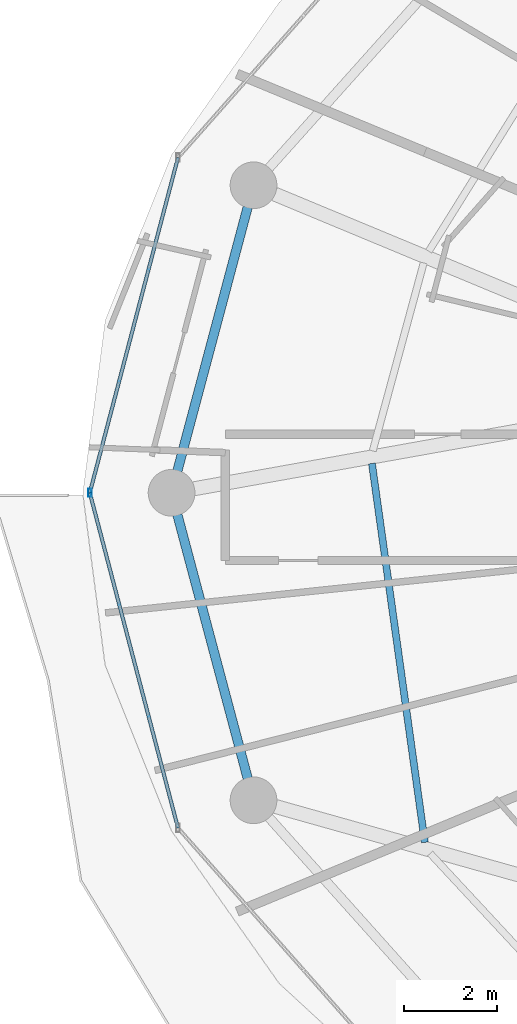
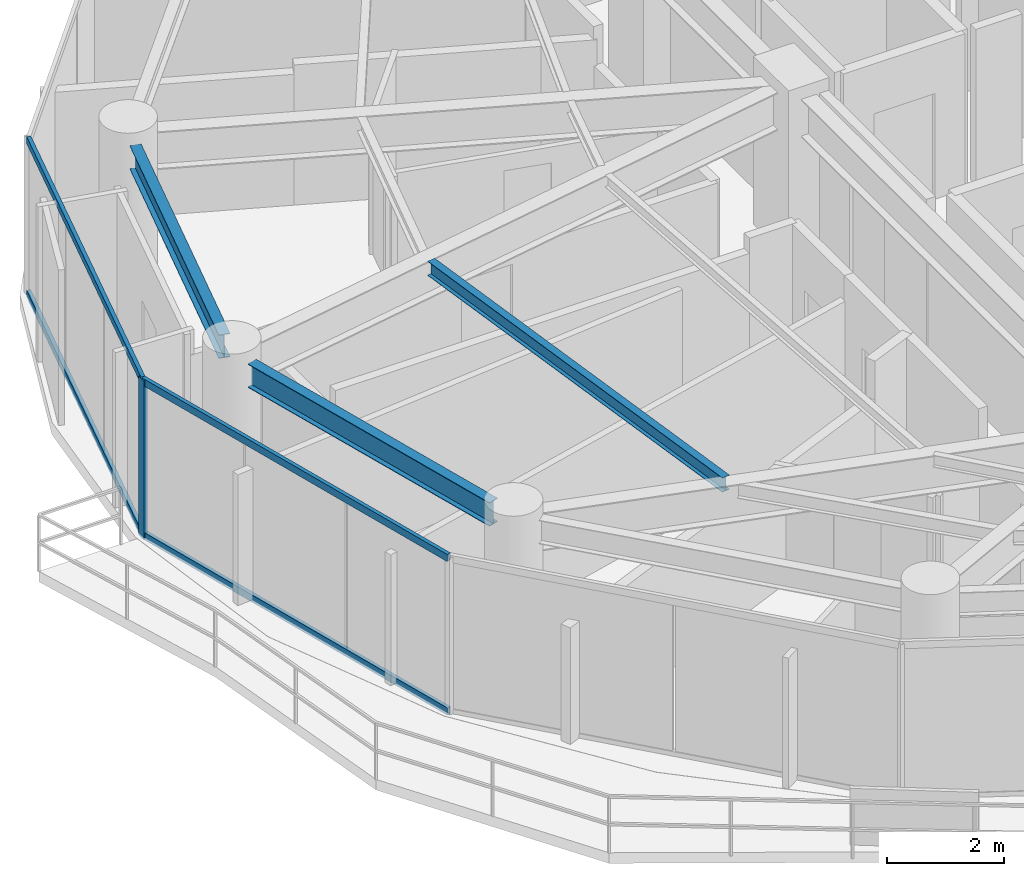
# One storey, part 6 of 28: 5 members, 3 beams, 1 element without a shape of its own.
"""IFC4 building model written with IfcOpenShell, lengths in metres."""

from ifc_helpers import new_model, si_unit, direction, frame, origin, origin_2d, place, context, subcontext, project, spatial, hollow_rectangle, i_section, extrude, material, material_profile, profile_set, type_object, element, aggregate, save


model = new_model("IFC4")

# Units and contexts
model_context = context("Model", 3, precision=1e-05, world=origin(), true_north=direction((0.0, 1.0)))
body_context = subcontext(model_context, "Body", "Model", "MODEL_VIEW")
ifc_project = project(units=[si_unit("LENGTHUNIT", "METRE"), si_unit("AREAUNIT", "SQUARE_METRE"), si_unit("VOLUMEUNIT", "CUBIC_METRE"), si_unit("PLANEANGLEUNIT", "RADIAN"), si_unit("MASSUNIT", "GRAM", prefix="KILO")], contexts=[model_context])

# Site, building, storey
site_placement = place(None, origin())
site = spatial("IfcSite", under=ifc_project, at=site_placement, CompositionType="ELEMENT")
building_placement = place(site_placement, origin())
building = spatial("IfcBuilding", under=site, at=building_placement, Name="Vorneva Point Tower", CompositionType="ELEMENT")
storey_placement = place(building_placement, frame((0.0, 0.0, 143.10009765625)))
storey = spatial("IfcBuildingStorey", under=building, at=storey_placement, Name="L38", CompositionType="ELEMENT", Elevation=143.10009765625)

# Beams
ifc_material_1 = material(Name="Steel S355", Category="steel")
ifc_material_profile_1 = material_profile(ifc_material_1, i_section(OverallWidth=0.14892578125, OverallDepth=0.298095703125, WebThickness=0.005615234375, FlangeThickness=0.008056640625, at=origin_2d()), Name="30B1")
ifc_profile_set_1 = profile_set([ifc_material_profile_1], Name="Steel S355")
beam_type_1 = type_object("IfcBeamType", Name="BM-JST-30B1", PredefinedType="JOIST", material=ifc_profile_set_1)
beam_placement = place(storey_placement, frame((19.239501953125, 26.627197265625, 3.0908203125), z_axis=(0.13833204721, -0.990385906965, 0.0), x_axis=(0.990385906965, 0.13833204721, 0.0)))
element("IfcBeam", 1, at=beam_placement, inside=storey, type_object=beam_type_1, Name="L38 Secondary Floor Beam 1.09", PredefinedType="JOIST", context=body_context, shape_type="SweptSolid", body=[
    extrude(i_section(OverallWidth=0.14892578125, OverallDepth=0.298095703125, WebThickness=0.005615234375, FlangeThickness=0.008056640625, at=origin_2d()), origin(), (0.0, 0.0, 1.0), 8.18896484375),
])
ifc_material_profile_2 = material_profile(ifc_material_1, i_section(OverallWidth=0.199951171875, OverallDepth=0.491943359375, WebThickness=0.0087890625, FlangeThickness=0.011962890625, at=origin_2d()), Name="50B1")
ifc_profile_set_2 = profile_set([ifc_material_profile_2], Name="Steel S355")
beam_type_2 = type_object("IfcBeamType", Name="BM-SPN-50B1", PredefinedType="SPANDREL", material=ifc_profile_set_2)
for number, where, z_axis, x_axis, name in (
    (2, (16.57958984375, 32.113525390625, 2.993896484375), (-0.257550804648, -0.966264758245, 0.0), (0.966264758245, -0.257550804648, 0.0), "L38 Perimeter Spandrel Ring Beam 08"),
    (3, (15.074951171875, 25.531494140625, 2.993896484375), (0.257550804648, -0.966264758245, 0.0), (0.966264758245, 0.257550804648, 0.0), "L38 Perimeter Spandrel Ring Beam 09"),
):
    element("IfcBeam", number, at=place(storey_placement, frame(where, z_axis=z_axis, x_axis=x_axis)), inside=storey, type_object=beam_type_2, Name=name, PredefinedType="SPANDREL", context=body_context, shape_type="SweptSolid", body=[
        extrude(i_section(OverallWidth=0.199951171875, OverallDepth=0.491943359375, WebThickness=0.0087890625, FlangeThickness=0.011962890625, at=origin_2d()), origin(), (0.0, 0.0, 1.0), 5.842041015625),
    ])

# Curtain wall, members
ifc_material_2 = material(Name="Pale anodised aluminium", Category="aluminium")
curtain_wall_type = type_object("IfcCurtainWallType", Name="CW-RES-SYS", PredefinedType="NOTDEFINED", material=ifc_material_2)
curtain_wall_placement = place(storey_placement, origin())
curtain_wall = element("IfcCurtainWall", 4, at=curtain_wall_placement, inside=storey, type_object=curtain_wall_type, Name="L38 Unitised Curtain Wall CW-L38-R02", PredefinedType="NOTDEFINED")
ifc_material_profile_3 = material_profile(ifc_material_2, hollow_rectangle(XDim=0.074951171875, YDim=0.179931640625, WallThickness=0.00390625, at=origin_2d()), Name="AL-MUL 180x75x4")
ifc_profile_set_3 = profile_set([ifc_material_profile_3], Name="Pale anodised aluminium")
member_type_1 = type_object("IfcMemberType", Name="CW-MUL-180", PredefinedType="MULLION", material=ifc_profile_set_3)
member_1_placement = place(storey_placement, frame((13.199951171875, 26.0, -0.0400390625), z_axis=(0.0, 0.0, 1.0), x_axis=(1.0, 0.0, 0.0)))
member_1 = element("IfcMember", 5, at=member_1_placement, type_object=member_type_1, Name="CW-L38-R02 Mullion 03", PredefinedType="MULLION", context=body_context, shape_type="SweptSolid", body=[
    extrude(hollow_rectangle(XDim=0.074951171875, YDim=0.179931640625, WallThickness=0.00390625, at=origin_2d()), origin(), (0.0, 0.0, 1.0), 3.31005859375),
])
ifc_material_profile_4 = material_profile(ifc_material_2, hollow_rectangle(XDim=0.074951171875, YDim=0.14990234375, WallThickness=0.00390625, at=origin_2d()), Name="AL-TRN 150x75x4")
ifc_profile_set_4 = profile_set([ifc_material_profile_4], Name="Pale anodised aluminium")
member_type_2 = type_object("IfcMemberType", Name="CW-TRN-150", PredefinedType="USERDEFINED", material=ifc_profile_set_4)
member_2_placement = place(storey_placement, frame((15.087890625, 33.17529296875, 0.02001953125), z_axis=(-0.254456046293, -0.967084339913, 0.0), x_axis=(0.967084339913, -0.254456046293, 0.0)))
member_2 = element("IfcMember", 6, at=member_2_placement, type_object=member_type_2, Name="CW-L38-R02 Transom 02.1", ObjectType="TRANSOM", PredefinedType="USERDEFINED", context=body_context, shape_type="SweptSolid", body=[
    extrude(hollow_rectangle(XDim=0.074951171875, YDim=0.14990234375, WallThickness=0.00390625, at=origin_2d()), origin(), (0.0, 0.0, 1.0), 7.41943359375),
])
member_3_placement = place(storey_placement, frame((15.087890625, 33.17529296875, 3.219970703125), z_axis=(-0.254456046293, -0.967084339913, 0.0), x_axis=(0.967084339913, -0.254456046293, 0.0)))
member_3 = element("IfcMember", 7, at=member_3_placement, type_object=member_type_2, Name="CW-L38-R02 Transom 02.2", ObjectType="TRANSOM", PredefinedType="USERDEFINED", context=body_context, shape_type="SweptSolid", body=[
    extrude(hollow_rectangle(XDim=0.074951171875, YDim=0.14990234375, WallThickness=0.00390625, at=origin_2d()), origin(), (0.0, 0.0, 1.0), 7.41943359375),
])
member_4_placement = place(storey_placement, frame((13.199951171875, 26.0, 0.02001953125), z_axis=(0.254456046293, -0.967084339913, 0.0), x_axis=(0.967084339913, 0.254456046293, 0.0)))
member_4 = element("IfcMember", 8, at=member_4_placement, type_object=member_type_2, Name="CW-L38-R02 Transom 03.1", ObjectType="TRANSOM", PredefinedType="USERDEFINED", context=body_context, shape_type="SweptSolid", body=[
    extrude(hollow_rectangle(XDim=0.074951171875, YDim=0.14990234375, WallThickness=0.00390625, at=origin_2d()), origin(), (0.0, 0.0, 1.0), 7.41943359375),
])
member_5_placement = place(storey_placement, frame((13.199951171875, 26.0, 3.219970703125), z_axis=(0.254456046293, -0.967084339913, 0.0), x_axis=(0.967084339913, 0.254456046293, 0.0)))
member_5 = element("IfcMember", 9, at=member_5_placement, type_object=member_type_2, Name="CW-L38-R02 Transom 03.2", ObjectType="TRANSOM", PredefinedType="USERDEFINED", context=body_context, shape_type="SweptSolid", body=[
    extrude(hollow_rectangle(XDim=0.074951171875, YDim=0.14990234375, WallThickness=0.00390625, at=origin_2d()), origin(), (0.0, 0.0, 1.0), 7.41943359375),
])
aggregate(curtain_wall, [member_1, member_2, member_3, member_4, member_5])

save(model, "model.ifc")
